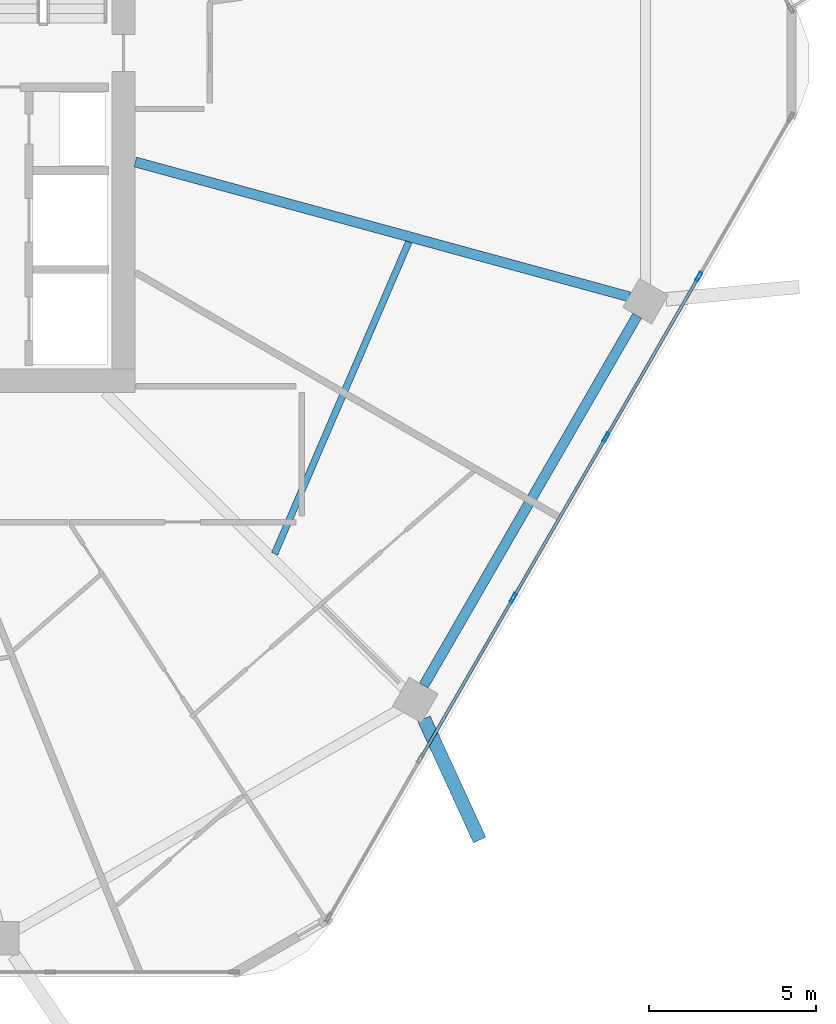
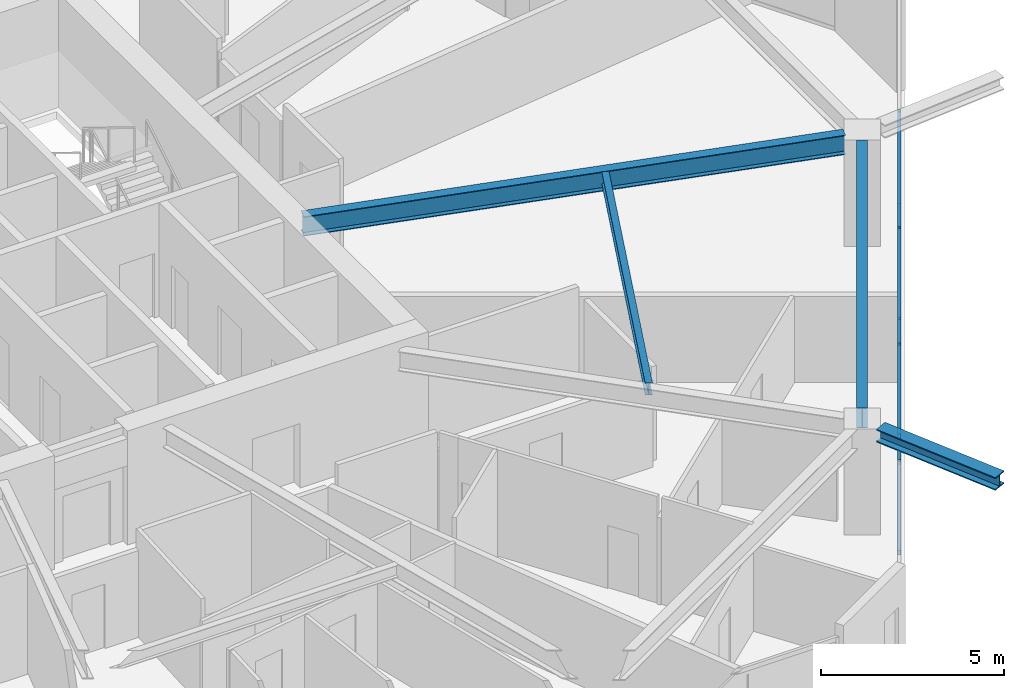
# One storey, part 8 of 26: 9 members, 4 beams, 1 element without a shape of its own.
"""IFC4 building model written with IfcOpenShell, lengths in metres."""

from ifc_helpers import new_model, si_unit, direction, frame, origin, origin_2d, place, context, subcontext, project, spatial, hollow_rectangle, i_section, extrude, material, material_profile, profile_set, type_object, element, aggregate, save


model = new_model("IFC4")

# Units and contexts
model_context = context("Model", 3, precision=1e-05, world=origin(), true_north=direction((0.0, 1.0)))
body_context = subcontext(model_context, "Body", "Model", "MODEL_VIEW")
ifc_project = project(units=[si_unit("LENGTHUNIT", "METRE"), si_unit("AREAUNIT", "SQUARE_METRE"), si_unit("VOLUMEUNIT", "CUBIC_METRE"), si_unit("PLANEANGLEUNIT", "RADIAN"), si_unit("MASSUNIT", "GRAM", prefix="KILO")], contexts=[model_context])

# Site, building, storey
site_placement = place(None, origin())
site = spatial("IfcSite", under=ifc_project, at=site_placement, CompositionType="ELEMENT")
building_placement = place(site_placement, origin())
building = spatial("IfcBuilding", under=site, at=building_placement, Name="Zuhravey Tower", CompositionType="ELEMENT")
storey_placement = place(building_placement, frame((0.0, 0.0, 158.0)))
storey = spatial("IfcBuildingStorey", under=building, at=storey_placement, Name="L39", CompositionType="ELEMENT", Elevation=158.0)

# Curtain wall, members
ifc_material_1 = material(Name="Thermally broken anodised aluminium", Category="aluminium")
curtain_wall_type = type_object("IfcCurtainWallType", Name="Zone 1-2 Residential Curtain Wall CW3", PredefinedType="NOTDEFINED", material=ifc_material_1)
curtain_wall_placement = place(storey_placement, origin())
curtain_wall = element("IfcCurtainWall", 1, at=curtain_wall_placement, inside=storey, type_object=curtain_wall_type, Name="L39 CW3 CW-L39-F6-1", PredefinedType="NOTDEFINED")
ifc_material_2 = material(Name="Anodised aluminium", Category="aluminium")
ifc_material_profile_1 = material_profile(ifc_material_2, hollow_rectangle(XDim=0.090087890625, YDim=0.284912109375, WallThickness=0.0048828125, at=origin_2d()), Name="ALU-RHS-90x285x5")
ifc_profile_set_1 = profile_set([ifc_material_profile_1], Name="Anodised aluminium")
member_type_1 = type_object("IfcMemberType", Name="Curtain-Wall Mullion 90x180", PredefinedType="MULLION", material=ifc_profile_set_1)
member_1_placement = place(storey_placement, frame((63.699462890625, 25.61083984375, 0.0), z_axis=(0.0, 0.0, 1.0), x_axis=(0.866025138215, -0.500000459979, 0.0)))
member_1 = element("IfcMember", 2, at=member_1_placement, type_object=member_type_1, Name="CW3 mullion 2", PredefinedType="MULLION", context=body_context, shape_type="SweptSolid", body=[
    extrude(hollow_rectangle(XDim=0.090087890625, YDim=0.284912109375, WallThickness=0.0048828125, at=origin_2d()), origin(), (0.0, 0.0, 1.0), 3.1220703125),
])
member_2_placement = place(storey_placement, frame((60.92724609375, 20.809326171875, 0.0), z_axis=(0.0, 0.0, 1.0), x_axis=(0.866025138215, -0.500000459979, 0.0)))
member_2 = element("IfcMember", 3, at=member_2_placement, type_object=member_type_1, Name="CW3 mullion 3", PredefinedType="MULLION", context=body_context, shape_type="SweptSolid", body=[
    extrude(hollow_rectangle(XDim=0.090087890625, YDim=0.284912109375, WallThickness=0.0048828125, at=origin_2d()), origin(), (0.0, 0.0, 1.0), 3.1220703125),
])
member_3_placement = place(storey_placement, frame((58.155029296875, 16.007568359375, 0.0), z_axis=(0.0, 0.0, 1.0), x_axis=(0.866025138215, -0.500000459979, 0.0)))
member_3 = element("IfcMember", 4, at=member_3_placement, type_object=member_type_1, Name="CW3 mullion 4", PredefinedType="MULLION", context=body_context, shape_type="SweptSolid", body=[
    extrude(hollow_rectangle(XDim=0.090087890625, YDim=0.284912109375, WallThickness=0.0048828125, at=origin_2d()), origin(), (0.0, 0.0, 1.0), 3.1220703125),
])
ifc_material_profile_2 = material_profile(ifc_material_2, hollow_rectangle(XDim=0.090087890625, YDim=0.14990234375, WallThickness=0.0048828125, at=origin_2d()), Name="ALU-RHS-90x150x5")
ifc_profile_set_2 = profile_set([ifc_material_profile_2], Name="Anodised aluminium")
member_type_2 = type_object("IfcMemberType", Name="Curtain-Wall Transom 90x150", PredefinedType="USERDEFINED", material=ifc_profile_set_2)
member_4_placement = place(storey_placement, frame((63.677001953125, 25.572021484375, 0.044921875), z_axis=(-0.49996138257, -0.86604769842, 0.0), x_axis=(0.86604769842, -0.49996138257, 0.0)))
member_4 = element("IfcMember", 5, at=member_4_placement, type_object=member_type_2, Name="CW3 transom 2.1", ObjectType="TRANSOM", PredefinedType="USERDEFINED", context=body_context, shape_type="SweptSolid", body=[
    extrude(hollow_rectangle(XDim=0.090087890625, YDim=0.14990234375, WallThickness=0.0048828125, at=origin_2d()), origin(), (0.0, 0.0, 1.0), 5.45458984375),
])
member_5_placement = place(storey_placement, frame((63.677001953125, 25.572021484375, 3.076904296875), z_axis=(-0.49996138257, -0.86604769842, 0.0), x_axis=(0.86604769842, -0.49996138257, 0.0)))
member_5 = element("IfcMember", 6, at=member_5_placement, type_object=member_type_2, Name="CW3 transom 2.2", ObjectType="TRANSOM", PredefinedType="USERDEFINED", context=body_context, shape_type="SweptSolid", body=[
    extrude(hollow_rectangle(XDim=0.090087890625, YDim=0.14990234375, WallThickness=0.0048828125, at=origin_2d()), origin(), (0.0, 0.0, 1.0), 5.45458984375),
])
member_6_placement = place(storey_placement, frame((60.90478515625, 20.770263671875, 0.044921875), z_axis=(-0.499980763544, -0.866036509673, 0.0), x_axis=(0.866036509673, -0.499980763544, 0.0)))
member_6 = element("IfcMember", 7, at=member_6_placement, type_object=member_type_2, Name="CW3 transom 3.1", ObjectType="TRANSOM", PredefinedType="USERDEFINED", context=body_context, shape_type="SweptSolid", body=[
    extrude(hollow_rectangle(XDim=0.090087890625, YDim=0.14990234375, WallThickness=0.0048828125, at=origin_2d()), origin(), (0.0, 0.0, 1.0), 5.454345703125),
])
member_7_placement = place(storey_placement, frame((60.90478515625, 20.770263671875, 3.076904296875), z_axis=(-0.499980763544, -0.866036509673, 0.0), x_axis=(0.866036509673, -0.499980763544, 0.0)))
member_7 = element("IfcMember", 8, at=member_7_placement, type_object=member_type_2, Name="CW3 transom 3.2", ObjectType="TRANSOM", PredefinedType="USERDEFINED", context=body_context, shape_type="SweptSolid", body=[
    extrude(hollow_rectangle(XDim=0.090087890625, YDim=0.14990234375, WallThickness=0.0048828125, at=origin_2d()), origin(), (0.0, 0.0, 1.0), 5.454345703125),
])
member_8_placement = place(storey_placement, frame((58.132568359375, 15.96875, 0.044921875), z_axis=(-0.49996138257, -0.86604769842, 0.0), x_axis=(0.86604769842, -0.49996138257, 0.0)))
member_8 = element("IfcMember", 9, at=member_8_placement, type_object=member_type_2, Name="CW3 transom 4.1", ObjectType="TRANSOM", PredefinedType="USERDEFINED", context=body_context, shape_type="SweptSolid", body=[
    extrude(hollow_rectangle(XDim=0.090087890625, YDim=0.14990234375, WallThickness=0.0048828125, at=origin_2d()), origin(), (0.0, 0.0, 1.0), 5.45458984375),
])
member_9_placement = place(storey_placement, frame((58.132568359375, 15.96875, 3.076904296875), z_axis=(-0.49996138257, -0.86604769842, 0.0), x_axis=(0.86604769842, -0.49996138257, 0.0)))
member_9 = element("IfcMember", 10, at=member_9_placement, type_object=member_type_2, Name="CW3 transom 4.2", ObjectType="TRANSOM", PredefinedType="USERDEFINED", context=body_context, shape_type="SweptSolid", body=[
    extrude(hollow_rectangle(XDim=0.090087890625, YDim=0.14990234375, WallThickness=0.0048828125, at=origin_2d()), origin(), (0.0, 0.0, 1.0), 5.45458984375),
])
aggregate(curtain_wall, [member_1, member_2, member_3, member_4, member_5, member_6, member_7, member_8, member_9])

# Beams
ifc_material_3 = material(Name="Steel SM460", Category="steel")
ifc_material_profile_3 = material_profile(ifc_material_3, i_section(OverallWidth=0.406982421875, OverallDepth=0.427978515625, WebThickness=0.02001953125, FlangeThickness=0.034912109375, at=origin_2d()), Name="H-428x407x20x35")
ifc_profile_set_3 = profile_set([ifc_material_profile_3], Name="Steel SM460")
beam_type_1 = type_object("IfcBeamType", Name="Exoskeleton Node Tie Beam H428x407", PredefinedType="BEAM", material=ifc_profile_set_3)
beam_1_placement = place(storey_placement, frame((55.48291015625, 12.392822265625, 3.3359375), z_axis=(0.417299408562, -0.90876905956, 0.0), x_axis=(0.90876905956, 0.417299408562, 0.0)))
element("IfcBeam", 11, at=beam_1_placement, inside=storey, type_object=beam_type_1, Name="L39 Exoskeleton Node Tie NT1-11", PredefinedType="BEAM", context=body_context, shape_type="SweptSolid", body=[
    extrude(i_section(OverallWidth=0.406982421875, OverallDepth=0.427978515625, WebThickness=0.02001953125, FlangeThickness=0.034912109375, at=origin_2d()), origin(), (0.0, 0.0, 1.0), 3.989501953125),
])
ifc_material_4 = material(Name="Steel SM355", Category="steel")
ifc_material_profile_4 = material_profile(ifc_material_4, i_section(OverallWidth=0.300048828125, OverallDepth=0.679931640625, WebThickness=0.012939453125, FlangeThickness=0.02197265625, at=origin_2d()), Name="H-680x300x13x22")
ifc_profile_set_4 = profile_set([ifc_material_profile_4], Name="Steel SM355")
beam_type_2 = type_object("IfcBeamType", Name="Perimeter Ring Beam H680x300", PredefinedType="BEAM", material=ifc_profile_set_4)
beam_2_placement = place(storey_placement, frame((55.47705078125, 13.388916015625, 3.2099609375), z_axis=(0.499997974489, 0.866026573211, 0.0), x_axis=(-0.866026573211, 0.499997974489, 0.0)))
element("IfcBeam", 12, at=beam_2_placement, inside=storey, type_object=beam_type_2, Name="L39 PB2 BM-L39-PB-11", PredefinedType="BEAM", context=body_context, shape_type="SweptSolid", body=[
    extrude(i_section(OverallWidth=0.300048828125, OverallDepth=0.679931640625, WebThickness=0.012939453125, FlangeThickness=0.02197265625, at=origin_2d()), origin(), (0.0, 0.0, 1.0), 12.75830078125),
])
ifc_material_profile_5 = material_profile(ifc_material_4, i_section(OverallWidth=0.300048828125, OverallDepth=0.64990234375, WebThickness=0.012939453125, FlangeThickness=0.02197265625, at=origin_2d()), Name="H-650x300x13x22")
ifc_profile_set_5 = profile_set([ifc_material_profile_5], Name="Steel SM355")
beam_type_3 = type_object("IfcBeamType", Name="Radial Primary Girder H650x300", PredefinedType="BEAM", material=ifc_profile_set_5)
beam_3_placement = place(storey_placement, frame((46.85302734375, 29.03759765625, 3.22509765625), z_axis=(0.964701601771, -0.263345437667, 0.0), x_axis=(0.263345437667, 0.964701601771, 0.0)))
element("IfcBeam", 13, at=beam_3_placement, inside=storey, type_object=beam_type_3, Name="L39 RG2 BM-L39-RAD-12", PredefinedType="BEAM", context=body_context, shape_type="SweptSolid", body=[
    extrude(i_section(OverallWidth=0.300048828125, OverallDepth=0.64990234375, WebThickness=0.012939453125, FlangeThickness=0.02197265625, at=origin_2d()), origin(), (0.0, 0.0, 1.0), 15.309814453125),
])
ifc_material_profile_6 = material_profile(ifc_material_4, i_section(OverallWidth=0.199951171875, OverallDepth=0.39990234375, WebThickness=0.008056640625, FlangeThickness=0.012939453125, at=origin_2d()), Name="H-400x200x8x13")
ifc_profile_set_6 = profile_set([ifc_material_profile_6], Name="Steel SM355")
beam_type_4 = type_object("IfcBeamType", Name="Secondary Floor Joist H400x200", PredefinedType="JOIST", material=ifc_profile_set_6)
beam_4_placement = place(storey_placement, frame((51.017578125, 17.323974609375, 3.35009765625), z_axis=(0.395265853487, 0.918566766799, 0.0), x_axis=(-0.918566766799, 0.395265853487, 0.0)))
element("IfcBeam", 14, at=beam_4_placement, inside=storey, type_object=beam_type_4, Name="L39 SJ2 BM-L39-SJ-11-1", PredefinedType="JOIST", context=body_context, shape_type="SweptSolid", body=[
    extrude(i_section(OverallWidth=0.199951171875, OverallDepth=0.39990234375, WebThickness=0.008056640625, FlangeThickness=0.012939453125, at=origin_2d()), origin(), (0.0, 0.0, 1.0), 10.150146484375),
])

save(model, "model.ifc")
